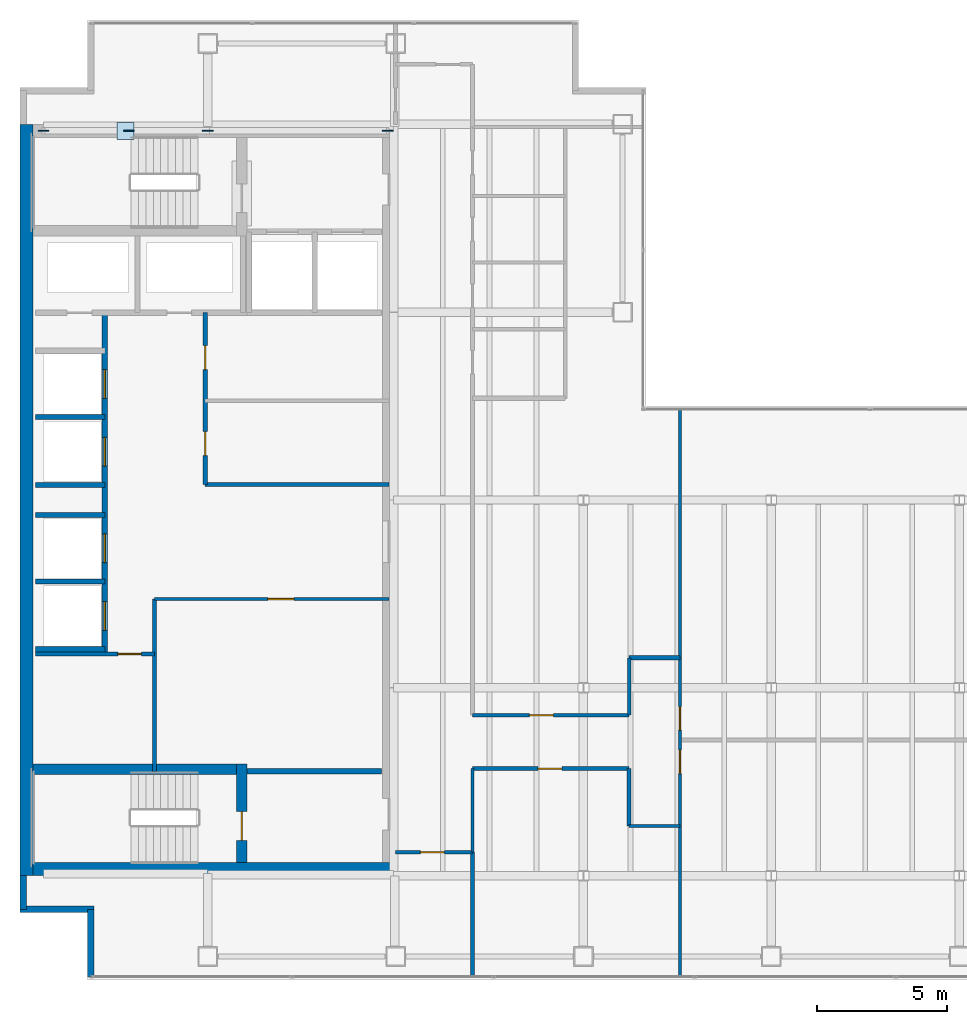
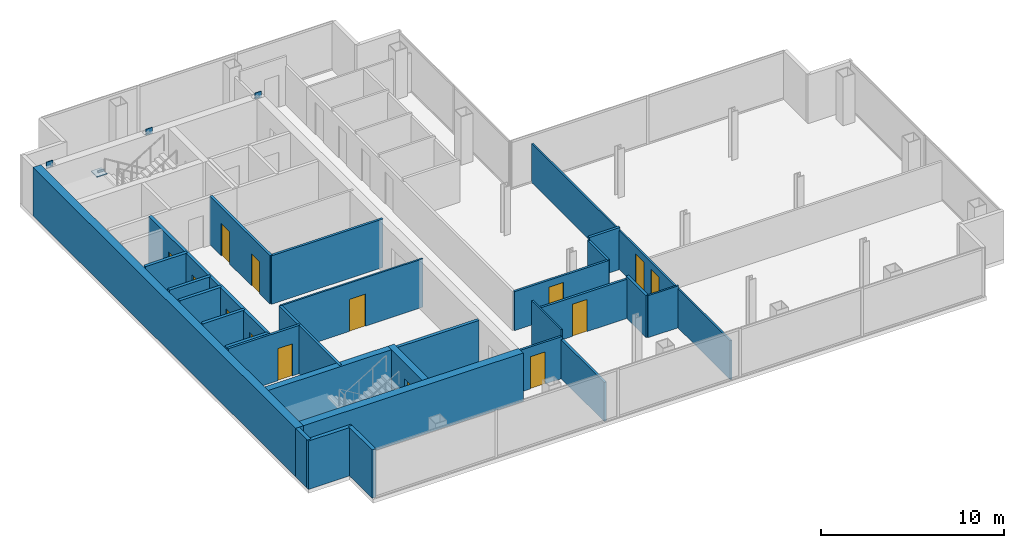
# One storey, part 20 of 23: 29 walls, 14 doors, 5 plates, 14 openings.
"""IFC4 building model written with IfcOpenShell, lengths in metres."""

from ifc_helpers import new_model, si_unit, direction, frame, frame_2d, origin, origin_2d, place, context, subcontext, project, spatial, rectangle, extrude, material, layer, layer_set, type_object, element, fill, save


model = new_model("IFC4")

# Units and contexts
model_context = context("Model", 3, precision=1e-05, world=origin(), true_north=direction((0.0, 1.0)))
body_context = subcontext(model_context, "Body", "Model", "MODEL_VIEW")
ifc_project = project(units=[si_unit("LENGTHUNIT", "METRE"), si_unit("AREAUNIT", "SQUARE_METRE"), si_unit("VOLUMEUNIT", "CUBIC_METRE"), si_unit("PLANEANGLEUNIT", "RADIAN"), si_unit("MASSUNIT", "GRAM", prefix="KILO")], contexts=[model_context])

# Site, building, storey
site_placement = place(None, origin())
site = spatial("IfcSite", under=ifc_project, at=site_placement, CompositionType="ELEMENT")
building_placement = place(site_placement, origin())
building = spatial("IfcBuilding", under=site, at=building_placement, Name="Cobrela Telecom Tower", CompositionType="ELEMENT")
storey_placement = place(building_placement, frame((0.0, 0.0, 201.25)))
storey = spatial("IfcBuildingStorey", under=building, at=storey_placement, Name="L51", CompositionType="ELEMENT", Elevation=201.25)

# Plates
ifc_material_1 = material(Name="Steel ASTM A572 Grade 50", Category="steel")
ifc_layer_1 = layer(ifc_material_1, 0.0419921875)
ifc_layer_set_1 = layer_set([ifc_layer_1], Name="Steel ASTM A572 Grade 50")
plate_type = type_object("IfcPlateType", Name="PLT-NODE-ND1", PredefinedType="USERDEFINED", material=ifc_layer_set_1)
for number, where, z_axis, x_axis, name in (
    (1, (7.199951171875, 35.75, 3.0751953125), (0.0, 0.0, 1.0), (1.0, 0.0, 0.0), "Steel node plate PLT-MBR-EXO-L51-N1-A-1"),
    (2, (4.173828125, 35.75, 1.349609375), (0.0, 0.0, 1.0), (-1.0, 0.0, 0.0), "Steel node plate PLT-MBR-EXO-L51-N1-B1-1"),
    (3, (0.89990234375, 35.75, 3.0751953125), (0.0, 0.0, 1.0), (-1.0, 0.0, 0.0), "Steel node plate PLT-MBR-EXO-L51-N1-B2-1"),
):
    element("IfcPlate", number, at=place(storey_placement, frame(where, z_axis=z_axis, x_axis=x_axis)), inside=storey, type_object=plate_type, Name=name, ObjectType="GUSSET PLATE", PredefinedType="USERDEFINED", context=body_context, shape_type="SweptSolid", body=[
        extrude(rectangle(XDim=0.409912109375, YDim=0.044921875, at=origin_2d()), origin(), (0.0, 0.0, 1.0), 0.409912109375),
    ])
plate_1_placement = place(storey_placement, frame((4.050048828125, 35.75, 1.59765625), z_axis=(0.0, 0.0, 1.0), x_axis=(1.0, 0.0, 0.0)))
element("IfcPlate", 4, at=plate_1_placement, inside=storey, type_object=plate_type, Name="L51 Core Flange Steel X-Brace Central X-Crossing Gusset Plate", ObjectType="GUSSET PLATE", PredefinedType="USERDEFINED", context=body_context, shape_type="SweptSolid", body=[
    extrude(rectangle(XDim=0.64990234375, YDim=0.64990234375, at=origin_2d()), origin(), (0.0, 0.0, 1.0), 0.044921875),
])
plate_2_placement = place(storey_placement, frame((14.10009765625, 35.75, 3.0751953125), z_axis=(0.0, 0.0, 1.0), x_axis=(1.0, 0.0, 0.0)))
element("IfcPlate", 5, at=plate_2_placement, inside=storey, type_object=plate_type, Name="Steel node plate PLT-MBR-EXO-L51-N2-1", ObjectType="GUSSET PLATE", PredefinedType="USERDEFINED", context=body_context, shape_type="SweptSolid", body=[
    extrude(rectangle(XDim=0.409912109375, YDim=0.044921875, at=origin_2d()), origin(), (0.0, 0.0, 1.0), 0.409912109375),
])

# Walls
ifc_material_2 = material(Name="Concrete C40/50", Category="concrete")
ifc_layer_2 = layer(ifc_material_2, 0.5)
ifc_layer_set_2 = layer_set([ifc_layer_2], Name="Concrete C40/50")
wall_type_1 = type_object("IfcWallType", Name="WALL-CORE-C40-500", PredefinedType="SHEAR", material=ifc_layer_set_2)
wall_1_placement = place(storey_placement, frame((0.25, 7.199951171875, 0.0), z_axis=(0.0, 0.0, 1.0), x_axis=(0.0, 1.0, 0.0)))
element("IfcWall", 6, at=wall_1_placement, inside=storey, type_object=wall_type_1, Name="L51 West Core Shear Wall", PredefinedType="SHEAR", context=body_context, shape_type="SweptSolid", body=[
    extrude(rectangle(XDim=28.800048828125, YDim=0.5, at=frame_2d((14.39990234375, 0.0))), origin(), (0.0, 0.0, 1.0), 3.239990234375),
])
wall_2_placement = place(storey_placement, frame((0.5, 7.449951171875, 0.0), z_axis=(0.0, 0.0, 1.0), x_axis=(1.0, 0.0, 0.0)))
element("IfcWall", 7, at=wall_2_placement, inside=storey, type_object=wall_type_1, Name="L51 South Core Shear Wall", PredefinedType="SHEAR", context=body_context, shape_type="SweptSolid", body=[
    extrude(rectangle(XDim=13.89990234375, YDim=0.5, at=frame_2d((6.949951171875, 0.0))), origin(), (0.0, 0.0, 1.0), 3.239990234375),
])
ifc_layer_3 = layer(ifc_material_2, 0.239990234375)
ifc_layer_set_3 = layer_set([ifc_layer_3], Name="Concrete C40/50")
wall_type_2 = type_object("IfcWallType", Name="WALL-EXT-300", PredefinedType="STANDARD", material=ifc_layer_set_3)
wall_3_placement = place(storey_placement, frame((2.7099609375, 3.320068359375, 0.0), z_axis=(0.0, 0.0, 1.0), x_axis=(0.0, 1.0, 0.0)))
element("IfcWall", 8, at=wall_3_placement, inside=storey, type_object=wall_type_2, Name="L51 Insulated Facade Wall 01", PredefinedType="STANDARD", context=body_context, shape_type="SweptSolid", body=[
    extrude(rectangle(XDim=2.58984375, YDim=0.239990234375, at=frame_2d((1.294921875, 0.0))), origin(), (0.0, 0.0, 1.0), 3.239990234375),
])
wall_4_placement = place(storey_placement, frame((2.830078125, 5.909912109375, 0.0), z_axis=(0.0, 0.0, 1.0), x_axis=(-1.0, 0.0, 0.0)))
element("IfcWall", 9, at=wall_4_placement, inside=storey, type_object=wall_type_2, Name="L51 Insulated Facade Wall 02", PredefinedType="STANDARD", context=body_context, shape_type="SweptSolid", body=[
    extrude(rectangle(XDim=2.830078125, YDim=0.239990234375, at=frame_2d((1.4150390625, 0.0))), origin(), (0.0, 0.0, 1.0), 3.239990234375),
])
wall_5_placement = place(storey_placement, frame((0.1201171875, 5.909912109375, 0.0), z_axis=(0.0, 0.0, 1.0), x_axis=(0.0, 1.0, 0.0)))
element("IfcWall", 10, at=wall_5_placement, inside=storey, type_object=wall_type_2, Name="L51 Insulated Facade Wall 03", PredefinedType="STANDARD", context=body_context, shape_type="SweptSolid", body=[
    extrude(rectangle(XDim=1.2900390625, YDim=0.239990234375, at=frame_2d((0.64501953125, 0.0))), origin(), (0.0, 0.0, 1.0), 3.239990234375),
])

# Wall, opening, door
ifc_material_3 = material(Name="Fire-Rated Gypsum Plasterboard")
ifc_layer_4 = layer(ifc_material_3, 0.110107421875)
ifc_layer_set_4 = layer_set([ifc_layer_4], Name="Fire-Rated Gypsum Plasterboard")
wall_type_3 = type_object("IfcWallType", Name="WALL-PART-110", PredefinedType="PARTITIONING", material=ifc_layer_set_4)
wall_6_placement = place(storey_placement, frame((5.14990234375, 17.800048828125, 0.0), z_axis=(0.0, 0.0, 1.0), x_axis=(1.0, 0.0, 0.0)))
wall_6 = element("IfcWall", 11, at=wall_6_placement, inside=storey, type_object=wall_type_3, Name="L51 Interior Partition CW-RECM-N", PredefinedType="PARTITIONING", context=body_context, shape_type="SweptSolid", body=[
    extrude(rectangle(XDim=9.0, YDim=0.110107421875, at=frame_2d((4.5, 0.0))), origin(), (0.0, 0.0, 1.0), 3.239990234375),
])
opening_1_placement = place(wall_6_placement, frame((4.35009765625, 0.0, 0.0)))
opening_1 = element("IfcOpeningElement", 12, at=opening_1_placement, cuts=wall_6, Name="Opening DR-31", PredefinedType="OPENING", context=body_context, shape_type="SweptSolid", body=[
    extrude(rectangle(XDim=1.0, YDim=2.14990234375, at=frame_2d((0.5, 1.074951171875))), frame((0.0, 0.06689453125, 0.0), z_axis=(0.0, -1.0, 0.0), x_axis=(1.0, 0.0, 0.0)), (0.0, 0.0, 1.0), 0.134033203125),
])
ifc_material_4 = material(Name="Solid Engineered Oak Timber", Category="wood")
door_type_1 = type_object("IfcDoorType", Name="DOOR-INT-1000", OperationType="SINGLE_SWING_LEFT", PredefinedType="DOOR", material=ifc_material_4)
door_1_placement = place(opening_1_placement, origin())
door_1 = element("IfcDoor", 13, at=door_1_placement, inside=storey, type_object=door_type_1, Name="L51 Door DR-31", OperationType="SINGLE_SWING_LEFT", OverallHeight=2.14990234375, OverallWidth=1.0, PredefinedType="DOOR", context=body_context, shape_type="SweptSolid", body=[
    extrude(rectangle(XDim=1.0, YDim=2.14990234375, at=frame_2d((0.5, 1.074951171875))), frame((0.0, 0.02490234375, 0.0), z_axis=(0.0, -1.0, 0.0), x_axis=(1.0, 0.0, 0.0)), (0.0, 0.0, 1.0), 0.050048828125),
])
fill(opening_1, door_1)

# Walls
wall_7_placement = place(storey_placement, frame((17.35009765625, 8.10009765625, 0.0), z_axis=(0.0, 0.0, 1.0), x_axis=(0.0, 1.0, 0.0)))
element("IfcWall", 14, at=wall_7_placement, inside=storey, type_object=wall_type_3, Name="L51 Interior Partition W-C-E1", PredefinedType="PARTITIONING", context=body_context, shape_type="SweptSolid", body=[
    extrude(rectangle(XDim=3.199951171875, YDim=0.110107421875, at=frame_2d((1.60009765625, 0.0))), origin(), (0.0, 0.0, 1.0), 3.239990234375),
])
wall_8_placement = place(storey_placement, frame((23.35009765625, 9.10009765625, 0.0), z_axis=(0.0, 0.0, 1.0), x_axis=(1.0, 0.0, 0.0)))
element("IfcWall", 15, at=wall_8_placement, inside=storey, type_object=wall_type_3, Name="L51 Interior Partition W-CT-S", PredefinedType="PARTITIONING", context=body_context, shape_type="SweptSolid", body=[
    extrude(rectangle(XDim=1.949951171875, YDim=0.110107421875, at=frame_2d((0.97509765625, 0.0))), origin(), (0.0, 0.0, 1.0), 2.80810546875),
])

# Wall, openings, doors
wall_9_placement = place(storey_placement, frame((25.300048828125, 3.320068359375, 0.0), z_axis=(0.0, 0.0, 1.0), x_axis=(0.0, 1.0, 0.0)))
wall_9 = element("IfcWall", 16, at=wall_9_placement, inside=storey, type_object=wall_type_3, Name="L51 Interior Partition W-C-END", PredefinedType="PARTITIONING", context=body_context, shape_type="SweptSolid", body=[
    extrude(rectangle(XDim=21.760009765625, YDim=0.110107421875, at=frame_2d((10.8798828125, 0.0))), origin(), (0.0, 0.0, 1.0), 2.613037109375),
])
opening_2_placement = place(wall_9_placement, frame((7.7900390625, 0.0, 0.0)))
opening_2 = element("IfcOpeningElement", 17, at=opening_2_placement, cuts=wall_9, Name="Opening DR-41", PredefinedType="OPENING", context=body_context, shape_type="SweptSolid", body=[
    extrude(rectangle(XDim=0.89990234375, YDim=2.14990234375, at=frame_2d((0.449951171875, 1.074951171875))), frame((0.0, 0.06689453125, 0.0), z_axis=(0.0, -1.0, 0.0), x_axis=(1.0, 0.0, 0.0)), (0.0, 0.0, 1.0), 0.134033203125),
])
opening_3_placement = place(wall_9_placement, frame((9.4599609375, 0.0, 0.0)))
opening_3 = element("IfcOpeningElement", 18, at=opening_3_placement, cuts=wall_9, Name="Opening DR-41", PredefinedType="OPENING", context=body_context, shape_type="SweptSolid", body=[
    extrude(rectangle(XDim=0.89990234375, YDim=2.14990234375, at=frame_2d((0.449951171875, 1.074951171875))), frame((0.0, 0.06689453125, 0.0), z_axis=(0.0, -1.0, 0.0), x_axis=(1.0, 0.0, 0.0)), (0.0, 0.0, 1.0), 0.134033203125),
])
door_type_2 = type_object("IfcDoorType", Name="DOOR-INT-900", OperationType="SINGLE_SWING_LEFT", PredefinedType="DOOR", material=ifc_material_4)
door_2_placement = place(opening_2_placement, origin())
door_2 = element("IfcDoor", 19, at=door_2_placement, inside=storey, type_object=door_type_2, Name="L51 Door DR-41", OperationType="SINGLE_SWING_LEFT", OverallHeight=2.14990234375, OverallWidth=0.89990234375, PredefinedType="DOOR", context=body_context, shape_type="SweptSolid", body=[
    extrude(rectangle(XDim=0.89990234375, YDim=2.14990234375, at=frame_2d((0.449951171875, 1.074951171875))), frame((0.0, 0.02490234375, 0.0), z_axis=(0.0, -1.0, 0.0), x_axis=(1.0, 0.0, 0.0)), (0.0, 0.0, 1.0), 0.050048828125),
])
fill(opening_2, door_2)
door_3_placement = place(opening_3_placement, origin())
door_3 = element("IfcDoor", 20, at=door_3_placement, inside=storey, type_object=door_type_2, Name="L51 Door DR-41", OperationType="SINGLE_SWING_RIGHT", OverallHeight=2.14990234375, OverallWidth=0.89990234375, PredefinedType="DOOR", context=body_context, shape_type="SweptSolid", body=[
    extrude(rectangle(XDim=0.89990234375, YDim=2.14990234375, at=frame_2d((0.449951171875, 1.074951171875))), frame((0.0, 0.02490234375, 0.0), z_axis=(0.0, -1.0, 0.0), x_axis=(1.0, 0.0, 0.0)), (0.0, 0.0, 1.0), 0.050048828125),
])
fill(opening_3, door_3)

# Wall, opening, door
ifc_layer_5 = layer(ifc_material_3, 0.135009765625)
ifc_layer_set_5 = layer_set([ifc_layer_5], Name="Fire-Rated Gypsum Plasterboard")
wall_type_4 = type_object("IfcWallType", Name="WALL-PART-135", PredefinedType="PARTITIONING", material=ifc_layer_set_5)
wall_10_placement = place(storey_placement, frame((14.39990234375, 8.10009765625, 0.0), z_axis=(0.0, 0.0, 1.0), x_axis=(1.0, 0.0, 0.0)))
wall_10 = element("IfcWall", 21, at=wall_10_placement, inside=storey, type_object=wall_type_4, Name="L51 Interior Partition W-C-S0", PredefinedType="PARTITIONING", context=body_context, shape_type="SweptSolid", body=[
    extrude(rectangle(XDim=2.9501953125, YDim=0.135009765625, at=frame_2d((1.47509765625, 0.0))), origin(), (0.0, 0.0, 1.0), 2.80810546875),
])
opening_4_placement = place(wall_10_placement, frame((0.949951171875, 0.0, 0.0)))
opening_4 = element("IfcOpeningElement", 22, at=opening_4_placement, cuts=wall_10, Name="Opening DR-45", PredefinedType="OPENING", context=body_context, shape_type="SweptSolid", body=[
    extrude(rectangle(XDim=0.919921875, YDim=2.14990234375, at=frame_2d((0.4599609375, 1.074951171875))), frame((0.0, 0.07958984375, 0.0), z_axis=(0.0, -1.0, 0.0), x_axis=(1.0, 0.0, 0.0)), (0.0, 0.0, 1.0), 0.158935546875),
])
door_type_3 = type_object("IfcDoorType", Name="DOOR-INT-920", OperationType="SINGLE_SWING_LEFT", PredefinedType="DOOR", material=ifc_material_4)
door_4_placement = place(opening_4_placement, origin())
door_4 = element("IfcDoor", 23, at=door_4_placement, inside=storey, type_object=door_type_3, Name="L51 Door DR-45", OperationType="SINGLE_SWING_RIGHT", OverallHeight=2.14990234375, OverallWidth=0.919921875, PredefinedType="DOOR", context=body_context, shape_type="SweptSolid", body=[
    extrude(rectangle(XDim=0.919921875, YDim=2.14990234375, at=frame_2d((0.4599609375, 1.074951171875))), frame((0.0, 0.02490234375, 0.0), z_axis=(0.0, -1.0, 0.0), x_axis=(1.0, 0.0, 0.0)), (0.0, 0.0, 1.0), 0.050048828125),
])
fill(opening_4, door_4)

wall_11_placement = place(storey_placement, frame((17.35009765625, 13.35009765625, 0.0), z_axis=(0.0, 0.0, 1.0), x_axis=(1.0, 0.0, 0.0)))
wall_11 = element("IfcWall", 24, at=wall_11_placement, inside=storey, type_object=wall_type_4, Name="L51 Interior Partition W-C-HN", PredefinedType="PARTITIONING", context=body_context, shape_type="SweptSolid", body=[
    extrude(rectangle(XDim=6.0, YDim=0.135009765625, at=frame_2d((3.0, 0.0))), origin(), (0.0, 0.0, 1.0), 2.613037109375),
])
opening_5_placement = place(wall_11_placement, frame((2.179931640625, 0.0, 0.0)))
opening_5 = element("IfcOpeningElement", 25, at=opening_5_placement, cuts=wall_11, Name="Opening DR-45", PredefinedType="OPENING", context=body_context, shape_type="SweptSolid", body=[
    extrude(rectangle(XDim=0.919921875, YDim=2.14990234375, at=frame_2d((0.4599609375, 1.074951171875))), frame((0.0, 0.07958984375, 0.0), z_axis=(0.0, -1.0, 0.0), x_axis=(1.0, 0.0, 0.0)), (0.0, 0.0, 1.0), 0.158935546875),
])
door_5_placement = place(opening_5_placement, origin())
door_5 = element("IfcDoor", 26, at=door_5_placement, inside=storey, type_object=door_type_3, Name="L51 Door DR-45", OperationType="SINGLE_SWING_LEFT", OverallHeight=2.14990234375, OverallWidth=0.919921875, PredefinedType="DOOR", context=body_context, shape_type="SweptSolid", body=[
    extrude(rectangle(XDim=0.919921875, YDim=2.14990234375, at=frame_2d((0.4599609375, 1.074951171875))), frame((0.0, 0.02490234375, 0.0), z_axis=(0.0, -1.0, 0.0), x_axis=(1.0, 0.0, 0.0)), (0.0, 0.0, 1.0), 0.050048828125),
])
fill(opening_5, door_5)

# Walls
wall_12_placement = place(storey_placement, frame((23.35009765625, 13.35009765625, 0.0), z_axis=(0.0, 0.0, 1.0), x_axis=(0.0, 1.0, 0.0)))
element("IfcWall", 27, at=wall_12_placement, inside=storey, type_object=wall_type_4, Name="L51 Interior Partition W-CT-JW2", PredefinedType="PARTITIONING", context=body_context, shape_type="SweptSolid", body=[
    extrude(rectangle(XDim=2.199951171875, YDim=0.135009765625, at=frame_2d((1.10009765625, 0.0))), origin(), (0.0, 0.0, 1.0), 2.613037109375),
])
ifc_layer_6 = layer(ifc_material_3, 0.14990234375)
ifc_layer_set_6 = layer_set([ifc_layer_6], Name="Fire-Rated Gypsum Plasterboard")
wall_type_5 = type_object("IfcWallType", Name="WALL-PART-150", PredefinedType="PARTITIONING", material=ifc_layer_set_6)
wall_13_placement = place(storey_placement, frame((7.10009765625, 22.199951171875, 0.0), z_axis=(0.0, 0.0, 1.0), x_axis=(1.0, 0.0, 0.0)))
element("IfcWall", 28, at=wall_13_placement, inside=storey, type_object=wall_type_5, Name="L51 Interior Partition CW-RECL-S", PredefinedType="PARTITIONING", context=body_context, shape_type="SweptSolid", body=[
    extrude(rectangle(XDim=7.0498046875, YDim=0.14990234375, at=frame_2d((3.52490234375, 0.0))), origin(), (0.0, 0.0, 1.0), 3.239990234375),
])

# Wall, opening, door
wall_14_placement = place(storey_placement, frame((0.60009765625, 15.699951171875, 0.0), z_axis=(0.0, 0.0, 1.0), x_axis=(1.0, 0.0, 0.0)))
wall_14 = element("IfcWall", 29, at=wall_14_placement, inside=storey, type_object=wall_type_5, Name="L51 Interior Partition CW-FLEX-N", PredefinedType="PARTITIONING", context=body_context, shape_type="SweptSolid", body=[
    extrude(rectangle(XDim=4.5498046875, YDim=0.14990234375, at=frame_2d((2.27490234375, 0.0))), origin(), (0.0, 0.0, 1.0), 3.239990234375),
])
opening_6_placement = place(wall_14_placement, frame((3.14990234375, 0.0, 0.0)))
opening_6 = element("IfcOpeningElement", 30, at=opening_6_placement, cuts=wall_14, Name="Opening DR-41", PredefinedType="OPENING", context=body_context, shape_type="SweptSolid", body=[
    extrude(rectangle(XDim=0.89990234375, YDim=2.14990234375, at=frame_2d((0.449951171875, 1.074951171875))), frame((0.0, 0.0869140625, 0.0), z_axis=(0.0, -1.0, 0.0), x_axis=(1.0, 0.0, 0.0)), (0.0, 0.0, 1.0), 0.173828125),
])
door_6_placement = place(opening_6_placement, origin())
door_6 = element("IfcDoor", 31, at=door_6_placement, inside=storey, type_object=door_type_2, Name="L51 Door DR-41", OperationType="SINGLE_SWING_LEFT", OverallHeight=2.14990234375, OverallWidth=0.89990234375, PredefinedType="DOOR", context=body_context, shape_type="SweptSolid", body=[
    extrude(rectangle(XDim=0.89990234375, YDim=2.14990234375, at=frame_2d((0.449951171875, 1.074951171875))), frame((0.0, 0.02490234375, 0.0), z_axis=(0.0, -1.0, 0.0), x_axis=(1.0, 0.0, 0.0)), (0.0, 0.0, 1.0), 0.050048828125),
])
fill(opening_6, door_6)

wall_15_placement = place(storey_placement, frame((17.35009765625, 11.300048828125, 0.0), z_axis=(0.0, 0.0, 1.0), x_axis=(1.0, 0.0, 0.0)))
wall_15 = element("IfcWall", 32, at=wall_15_placement, inside=storey, type_object=wall_type_5, Name="L51 Interior Partition W-C-HS", PredefinedType="PARTITIONING", context=body_context, shape_type="SweptSolid", body=[
    extrude(rectangle(XDim=6.0, YDim=0.14990234375, at=frame_2d((3.0, 0.0))), origin(), (0.0, 0.0, 1.0), 2.613037109375),
])
opening_7_placement = place(wall_15_placement, frame((2.5, 0.0, 0.0)))
opening_7 = element("IfcOpeningElement", 33, at=opening_7_placement, cuts=wall_15, Name="Opening DR-45", PredefinedType="OPENING", context=body_context, shape_type="SweptSolid", body=[
    extrude(rectangle(XDim=0.919921875, YDim=2.14990234375, at=frame_2d((0.4599609375, 1.074951171875))), frame((0.0, 0.0869140625, 0.0), z_axis=(0.0, -1.0, 0.0), x_axis=(1.0, 0.0, 0.0)), (0.0, 0.0, 1.0), 0.173828125),
])
door_7_placement = place(opening_7_placement, origin())
door_7 = element("IfcDoor", 34, at=door_7_placement, inside=storey, type_object=door_type_3, Name="L51 Door DR-45", OperationType="SINGLE_SWING_LEFT", OverallHeight=2.14990234375, OverallWidth=0.919921875, PredefinedType="DOOR", context=body_context, shape_type="SweptSolid", body=[
    extrude(rectangle(XDim=0.919921875, YDim=2.14990234375, at=frame_2d((0.4599609375, 1.074951171875))), frame((0.0, 0.02490234375, 0.0), z_axis=(0.0, -1.0, 0.0), x_axis=(1.0, 0.0, 0.0)), (0.0, 0.0, 1.0), 0.050048828125),
])
fill(opening_7, door_7)

# Walls
wall_16_placement = place(storey_placement, frame((23.35009765625, 9.10009765625, 0.0), z_axis=(0.0, 0.0, 1.0), x_axis=(0.0, 1.0, 0.0)))
element("IfcWall", 35, at=wall_16_placement, inside=storey, type_object=wall_type_5, Name="L51 Interior Partition W-CT-JW1", PredefinedType="PARTITIONING", context=body_context, shape_type="SweptSolid", body=[
    extrude(rectangle(XDim=2.199951171875, YDim=0.14990234375, at=frame_2d((1.10009765625, 0.0))), origin(), (0.0, 0.0, 1.0), 2.80810546875),
])
wall_17_placement = place(storey_placement, frame((17.35009765625, 3.320068359375, 0.0), z_axis=(0.0, 0.0, 1.0), x_axis=(0.0, 1.0, 0.0)))
element("IfcWall", 36, at=wall_17_placement, inside=storey, type_object=wall_type_5, Name="L51 Interior Partition W-SW-E", PredefinedType="PARTITIONING", context=body_context, shape_type="SweptSolid", body=[
    extrude(rectangle(XDim=4.780029296875, YDim=0.14990234375, at=frame_2d((2.39013671875, 0.0))), origin(), (0.0, 0.0, 1.0), 2.613037109375),
])

# Wall, openings, doors
ifc_layer_7 = layer(ifc_material_3, 0.159912109375)
ifc_layer_set_7 = layer_set([ifc_layer_7], Name="Fire-Rated Gypsum Plasterboard")
wall_type_6 = type_object("IfcWallType", Name="WALL-PART-160", PredefinedType="PARTITIONING", material=ifc_layer_set_7)
wall_18_placement = place(storey_placement, frame((7.10009765625, 22.199951171875, 0.0), z_axis=(0.0, 0.0, 1.0), x_axis=(0.0, 1.0, 0.0)))
wall_18 = element("IfcWall", 37, at=wall_18_placement, inside=storey, type_object=wall_type_6, Name="L51 Interior Partition CW-RECL-W", PredefinedType="PARTITIONING", context=body_context, shape_type="SweptSolid", body=[
    extrude(rectangle(XDim=6.580078125, YDim=0.159912109375, at=frame_2d((3.2900390625, 0.0))), origin(), (0.0, 0.0, 1.0), 3.239990234375),
])
opening_8_placement = place(wall_18_placement, frame((1.10009765625, 0.0, 0.0)))
opening_8 = element("IfcOpeningElement", 38, at=opening_8_placement, cuts=wall_18, Name="Opening DR-45", PredefinedType="OPENING", context=body_context, shape_type="SweptSolid", body=[
    extrude(rectangle(XDim=0.919921875, YDim=2.14990234375, at=frame_2d((0.4599609375, 1.074951171875))), frame((0.0, 0.091796875, 0.0), z_axis=(0.0, -1.0, 0.0), x_axis=(1.0, 0.0, 0.0)), (0.0, 0.0, 1.0), 0.183837890625),
])
opening_9_placement = place(wall_18_placement, frame((4.39990234375, 0.0, 0.0)))
opening_9 = element("IfcOpeningElement", 39, at=opening_9_placement, cuts=wall_18, Name="Opening DR-45", PredefinedType="OPENING", context=body_context, shape_type="SweptSolid", body=[
    extrude(rectangle(XDim=0.919921875, YDim=2.14990234375, at=frame_2d((0.4599609375, 1.074951171875))), frame((0.0, 0.091796875, 0.0), z_axis=(0.0, -1.0, 0.0), x_axis=(1.0, 0.0, 0.0)), (0.0, 0.0, 1.0), 0.183837890625),
])
door_8_placement = place(opening_8_placement, origin())
door_8 = element("IfcDoor", 40, at=door_8_placement, inside=storey, type_object=door_type_3, Name="L51 Door DR-45", OperationType="SINGLE_SWING_RIGHT", OverallHeight=2.14990234375, OverallWidth=0.919921875, PredefinedType="DOOR", context=body_context, shape_type="SweptSolid", body=[
    extrude(rectangle(XDim=0.919921875, YDim=2.14990234375, at=frame_2d((0.4599609375, 1.074951171875))), frame((0.0, 0.02490234375, 0.0), z_axis=(0.0, -1.0, 0.0), x_axis=(1.0, 0.0, 0.0)), (0.0, 0.0, 1.0), 0.050048828125),
])
fill(opening_8, door_8)
door_9_placement = place(opening_9_placement, origin())
door_9 = element("IfcDoor", 41, at=door_9_placement, inside=storey, type_object=door_type_3, Name="L51 Door DR-45", OperationType="SINGLE_SWING_LEFT", OverallHeight=2.14990234375, OverallWidth=0.919921875, PredefinedType="DOOR", context=body_context, shape_type="SweptSolid", body=[
    extrude(rectangle(XDim=0.919921875, YDim=2.14990234375, at=frame_2d((0.4599609375, 1.074951171875))), frame((0.0, 0.02490234375, 0.0), z_axis=(0.0, -1.0, 0.0), x_axis=(1.0, 0.0, 0.0)), (0.0, 0.0, 1.0), 0.050048828125),
])
fill(opening_9, door_9)

# Walls
wall_19_placement = place(storey_placement, frame((5.14990234375, 11.199951171875, 0.0), z_axis=(0.0, 0.0, 1.0), x_axis=(0.0, 1.0, 0.0)))
element("IfcWall", 42, at=wall_19_placement, inside=storey, type_object=wall_type_6, Name="L51 Interior Partition CW-RECM-W", PredefinedType="PARTITIONING", context=body_context, shape_type="SweptSolid", body=[
    extrude(rectangle(XDim=6.60009765625, YDim=0.159912109375, at=frame_2d((3.300048828125, 0.0))), origin(), (0.0, 0.0, 1.0), 3.239990234375),
])
wall_20_placement = place(storey_placement, frame((23.35009765625, 15.550048828125, 0.0), z_axis=(0.0, 0.0, 1.0), x_axis=(1.0, 0.0, 0.0)))
element("IfcWall", 43, at=wall_20_placement, inside=storey, type_object=wall_type_6, Name="L51 Interior Partition W-CT-N", PredefinedType="PARTITIONING", context=body_context, shape_type="SweptSolid", body=[
    extrude(rectangle(XDim=1.949951171875, YDim=0.159912109375, at=frame_2d((0.97509765625, 0.0))), origin(), (0.0, 0.0, 1.0), 2.80810546875),
])
ifc_layer_8 = layer(ifc_material_3, 0.199951171875)
ifc_layer_set_8 = layer_set([ifc_layer_8], Name="Fire-Rated Gypsum Plasterboard")
wall_type_7 = type_object("IfcWallType", Name="WALL-SHAFT-200", PredefinedType="PARTITIONING", material=ifc_layer_set_8)
wall_21_placement = place(storey_placement, frame((8.699951171875, 11.199951171875, 0.0), z_axis=(0.0, 0.0, 1.0), x_axis=(1.0, 0.0, 0.0)))
element("IfcWall", 44, at=wall_21_placement, inside=storey, type_object=wall_type_7, Name="L51 Shaft Enclosure CW-ST2L-N", PredefinedType="PARTITIONING", context=body_context, shape_type="SweptSolid", body=[
    extrude(rectangle(XDim=5.150146484375, YDim=0.199951171875, at=frame_2d((2.5751953125, 0.0))), origin(), (0.0, 0.0, 1.0), 3.239990234375),
])

# Wall, openings, doors
wall_22_placement = place(storey_placement, frame((3.25, 15.699951171875, 0.0), z_axis=(0.0, 0.0, 1.0), x_axis=(0.0, 1.0, 0.0)))
wall_22 = element("IfcWall", 45, at=wall_22_placement, inside=storey, type_object=wall_type_7, Name="L51 Shaft Enclosure CW-PLH-E", PredefinedType="PARTITIONING", context=body_context, shape_type="SweptSolid", body=[
    extrude(rectangle(XDim=13.080078125, YDim=0.199951171875, at=frame_2d((6.5400390625, 0.0))), origin(), (0.0, 0.0, 1.0), 3.239990234375),
])
opening_10_placement = place(wall_22_placement, frame((0.89990234375, 0.0, 0.0)))
opening_10 = element("IfcOpeningElement", 46, at=opening_10_placement, cuts=wall_22, Name="Opening LD-1", PredefinedType="OPENING", context=body_context, shape_type="SweptSolid", body=[
    extrude(rectangle(XDim=1.10009765625, YDim=2.199951171875, at=frame_2d((0.550048828125, 1.10009765625))), frame((0.0, 0.11181640625, 0.0), z_axis=(0.0, -1.0, 0.0), x_axis=(1.0, 0.0, 0.0)), (0.0, 0.0, 1.0), 0.223876953125),
])
opening_11_placement = place(wall_22_placement, frame((3.5, 0.0, 0.0)))
opening_11 = element("IfcOpeningElement", 47, at=opening_11_placement, cuts=wall_22, Name="Opening LD-1", PredefinedType="OPENING", context=body_context, shape_type="SweptSolid", body=[
    extrude(rectangle(XDim=1.10009765625, YDim=2.199951171875, at=frame_2d((0.550048828125, 1.10009765625))), frame((0.0, 0.11181640625, 0.0), z_axis=(0.0, -1.0, 0.0), x_axis=(1.0, 0.0, 0.0)), (0.0, 0.0, 1.0), 0.223876953125),
])
opening_12_placement = place(wall_22_placement, frame((7.199951171875, 0.0, 0.0)))
opening_12 = element("IfcOpeningElement", 48, at=opening_12_placement, cuts=wall_22, Name="Opening LD-1", PredefinedType="OPENING", context=body_context, shape_type="SweptSolid", body=[
    extrude(rectangle(XDim=1.10009765625, YDim=2.199951171875, at=frame_2d((0.550048828125, 1.10009765625))), frame((0.0, 0.11181640625, 0.0), z_axis=(0.0, -1.0, 0.0), x_axis=(1.0, 0.0, 0.0)), (0.0, 0.0, 1.0), 0.223876953125),
])
opening_13_placement = place(wall_22_placement, frame((9.800048828125, 0.0, 0.0)))
opening_13 = element("IfcOpeningElement", 49, at=opening_13_placement, cuts=wall_22, Name="Opening LD-1", PredefinedType="OPENING", context=body_context, shape_type="SweptSolid", body=[
    extrude(rectangle(XDim=1.10009765625, YDim=2.199951171875, at=frame_2d((0.550048828125, 1.10009765625))), frame((0.0, 0.11181640625, 0.0), z_axis=(0.0, -1.0, 0.0), x_axis=(1.0, 0.0, 0.0)), (0.0, 0.0, 1.0), 0.223876953125),
])
ifc_material_5 = material(Name="Steel ASTM A36", Category="steel")
door_type_4 = type_object("IfcDoorType", Name="DOOR-LD-PL", OperationType="SINGLE_SWING_LEFT", PredefinedType="DOOR", material=ifc_material_5)
door_10_placement = place(opening_10_placement, origin())
door_10 = element("IfcDoor", 50, at=door_10_placement, inside=storey, type_object=door_type_4, Name="L51 Lift Landing Door LD-1", OperationType="DOUBLE_DOOR_SLIDING", OverallHeight=2.199951171875, OverallWidth=1.10009765625, PredefinedType="DOOR", context=body_context, shape_type="SweptSolid", body=[
    extrude(rectangle(XDim=1.10009765625, YDim=2.199951171875, at=frame_2d((0.550048828125, 1.10009765625))), frame((0.0, 0.02490234375, 0.0), z_axis=(0.0, -1.0, 0.0), x_axis=(1.0, 0.0, 0.0)), (0.0, 0.0, 1.0), 0.050048828125),
])
fill(opening_10, door_10)
door_11_placement = place(opening_11_placement, origin())
door_11 = element("IfcDoor", 51, at=door_11_placement, inside=storey, type_object=door_type_4, Name="L51 Lift Landing Door LD-1", OperationType="DOUBLE_DOOR_SLIDING", OverallHeight=2.199951171875, OverallWidth=1.10009765625, PredefinedType="DOOR", context=body_context, shape_type="SweptSolid", body=[
    extrude(rectangle(XDim=1.10009765625, YDim=2.199951171875, at=frame_2d((0.550048828125, 1.10009765625))), frame((0.0, 0.02490234375, 0.0), z_axis=(0.0, -1.0, 0.0), x_axis=(1.0, 0.0, 0.0)), (0.0, 0.0, 1.0), 0.050048828125),
])
fill(opening_11, door_11)
door_12_placement = place(opening_12_placement, origin())
door_12 = element("IfcDoor", 52, at=door_12_placement, inside=storey, type_object=door_type_4, Name="L51 Lift Landing Door LD-1", OperationType="DOUBLE_DOOR_SLIDING", OverallHeight=2.199951171875, OverallWidth=1.10009765625, PredefinedType="DOOR", context=body_context, shape_type="SweptSolid", body=[
    extrude(rectangle(XDim=1.10009765625, YDim=2.199951171875, at=frame_2d((0.550048828125, 1.10009765625))), frame((0.0, 0.02490234375, 0.0), z_axis=(0.0, -1.0, 0.0), x_axis=(1.0, 0.0, 0.0)), (0.0, 0.0, 1.0), 0.050048828125),
])
fill(opening_12, door_12)
door_13_placement = place(opening_13_placement, origin())
door_13 = element("IfcDoor", 53, at=door_13_placement, inside=storey, type_object=door_type_4, Name="L51 Lift Landing Door LD-1", OperationType="DOUBLE_DOOR_SLIDING", OverallHeight=2.199951171875, OverallWidth=1.10009765625, PredefinedType="DOOR", context=body_context, shape_type="SweptSolid", body=[
    extrude(rectangle(XDim=1.10009765625, YDim=2.199951171875, at=frame_2d((0.550048828125, 1.10009765625))), frame((0.0, 0.02490234375, 0.0), z_axis=(0.0, -1.0, 0.0), x_axis=(1.0, 0.0, 0.0)), (0.0, 0.0, 1.0), 0.050048828125),
])
fill(opening_13, door_13)

# Walls
for number, where, z_axis, x_axis, name in (
    (54, (0.60009765625, 15.8798828125, 0.0), (0.0, 0.0, 1.0), (1.0, 0.0, 0.0), "L51 Shaft Enclosure CW-PLH-D9"),
    (55, (0.60009765625, 18.47998046875, 0.0), (0.0, 0.0, 1.0), (1.0, 0.0, 0.0), "L51 Shaft Enclosure CW-PLH-D10"),
    (56, (0.60009765625, 22.179931640625, 0.0), (0.0, 0.0, 1.0), (1.0, 0.0, 0.0), "L51 Shaft Enclosure CW-PLH-D11"),
    (57, (0.60009765625, 24.780029296875, 0.0), (0.0, 0.0, 1.0), (1.0, 0.0, 0.0), "L51 Shaft Enclosure CW-PLH-D12"),
    (58, (0.60009765625, 21.02001953125, 0.0), (0.0, 0.0, 1.0), (1.0, 0.0, 0.0), "L51 Shaft Enclosure CW-PLH-MID"),
):
    element("IfcWall", number, at=place(storey_placement, frame(where, z_axis=z_axis, x_axis=x_axis)), inside=storey, type_object=wall_type_7, Name=name, PredefinedType="PARTITIONING", context=body_context, shape_type="SweptSolid", body=[
        extrude(rectangle(XDim=2.64990234375, YDim=0.199951171875, at=frame_2d((1.324951171875, 0.0))), origin(), (0.0, 0.0, 1.0), 3.239990234375),
    ])
ifc_layer_9 = layer(ifc_material_2, 0.39990234375)
ifc_layer_set_9 = layer_set([ifc_layer_9], Name="Concrete C40/50")
wall_type_8 = type_object("IfcWallType", Name="WALL-SHAFT-C40-400", PredefinedType="SHEAR", material=ifc_layer_set_9)
wall_23_placement = place(storey_placement, frame((0.5, 11.280029296875, 0.0), z_axis=(0.0, 0.0, 1.0), x_axis=(1.0, 0.0, 0.0)))
element("IfcWall", 59, at=wall_23_placement, inside=storey, type_object=wall_type_8, Name="L51 South Stair Shear Wall", PredefinedType="SHEAR", context=body_context, shape_type="SweptSolid", body=[
    extrude(rectangle(XDim=7.800048828125, YDim=0.39990234375, at=frame_2d((3.89990234375, 0.0))), origin(), (0.0, 0.0, 1.0), 3.239990234375),
])

# Wall, opening, door
wall_24_placement = place(storey_placement, frame((8.5, 7.699951171875, 0.0), z_axis=(0.0, 0.0, 1.0), x_axis=(0.0, 1.0, 0.0)))
wall_24 = element("IfcWall", 60, at=wall_24_placement, inside=storey, type_object=wall_type_8, Name="L51 South Stair Lobby Shear Wall", PredefinedType="SHEAR", context=body_context, shape_type="SweptSolid", body=[
    extrude(rectangle(XDim=3.780029296875, YDim=0.39990234375, at=frame_2d((1.89013671875, 0.0))), origin(), (0.0, 0.0, 1.0), 3.239990234375),
])
opening_14_placement = place(wall_24_placement, frame((0.85009765625, 0.0, 0.0)))
opening_14 = element("IfcOpeningElement", 61, at=opening_14_placement, cuts=wall_24, Name="Opening FD-90", PredefinedType="OPENING", context=body_context, shape_type="SweptSolid", body=[
    extrude(rectangle(XDim=1.10009765625, YDim=2.14990234375, at=frame_2d((0.550048828125, 1.074951171875))), frame((0.0, 0.2119140625, 0.0), z_axis=(0.0, -1.0, 0.0), x_axis=(1.0, 0.0, 0.0)), (0.0, 0.0, 1.0), 0.423828125),
])
door_type_5 = type_object("IfcDoorType", Name="DOOR-FD90-1100", OperationType="SINGLE_SWING_LEFT", PredefinedType="DOOR", material=ifc_material_5)
door_14_placement = place(opening_14_placement, origin())
door_14 = element("IfcDoor", 62, at=door_14_placement, inside=storey, type_object=door_type_5, Name="L51 Door FD-90", OperationType="SINGLE_SWING_LEFT", OverallHeight=2.14990234375, OverallWidth=1.10009765625, PredefinedType="DOOR", context=body_context, shape_type="SweptSolid", body=[
    extrude(rectangle(XDim=1.10009765625, YDim=2.14990234375, at=frame_2d((0.550048828125, 1.074951171875))), frame((0.0, 0.02490234375, 0.0), z_axis=(0.0, -1.0, 0.0), x_axis=(1.0, 0.0, 0.0)), (0.0, 0.0, 1.0), 0.050048828125),
])
fill(opening_14, door_14)

save(model, "model.ifc")
